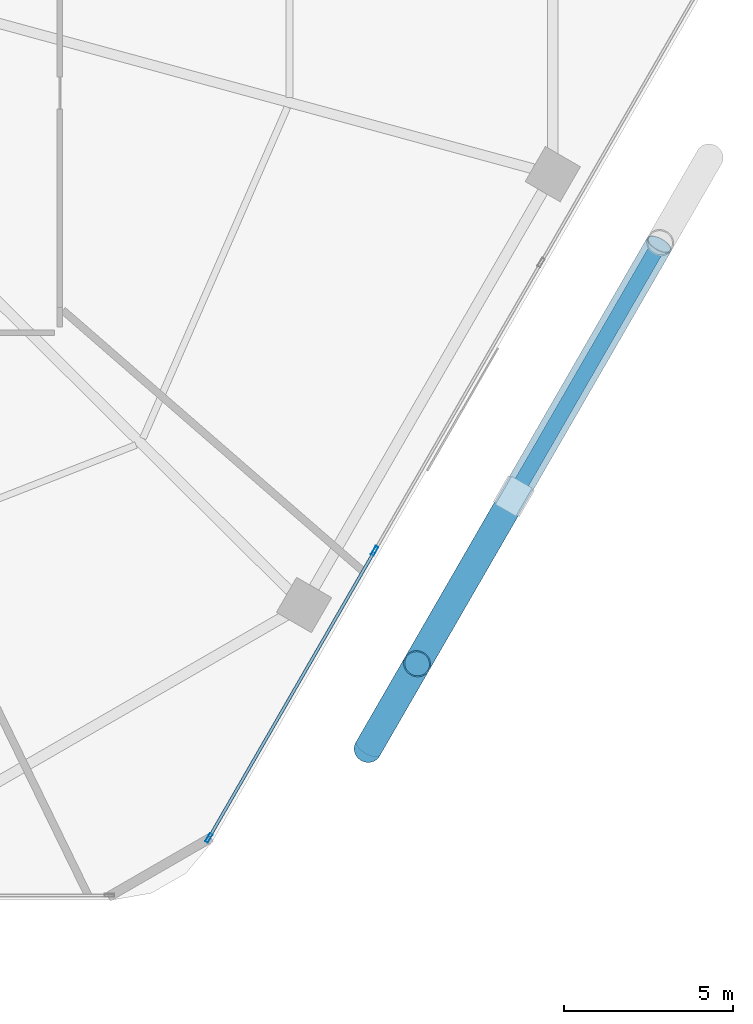
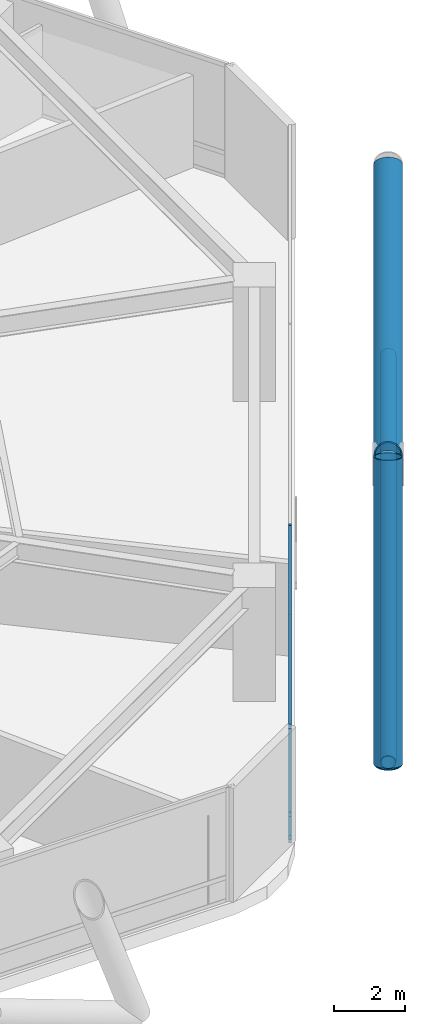
# One storey, part 9 of 31: 9 members, 1 element without a shape of its own.
"""IFC4 building model written with IfcOpenShell, lengths in metres."""

from ifc_helpers import new_model, si_unit, direction, frame, origin, origin_2d, place, context, subcontext, project, spatial, hollow_rectangle, hollow_circle, extrude, material, material_profile, profile_set, type_object, element, aggregate, save


model = new_model("IFC4")

# Units and contexts
model_context = context("Model", 3, precision=1e-05, world=origin(), true_north=direction((0.0, 1.0)))
body_context = subcontext(model_context, "Body", "Model", "MODEL_VIEW")
ifc_project = project(units=[si_unit("LENGTHUNIT", "METRE"), si_unit("AREAUNIT", "SQUARE_METRE"), si_unit("VOLUMEUNIT", "CUBIC_METRE"), si_unit("PLANEANGLEUNIT", "RADIAN"), si_unit("MASSUNIT", "GRAM", prefix="KILO")], contexts=[model_context])

# Site, building, storey
site_placement = place(None, origin())
site = spatial("IfcSite", under=ifc_project, at=site_placement, CompositionType="ELEMENT")
building_placement = place(site_placement, origin())
building = spatial("IfcBuilding", under=site, at=building_placement, Name="Zuhravey Tower", CompositionType="ELEMENT")
storey_placement = place(building_placement, frame((0.0, 0.0, 7.800048828125)))
storey = spatial("IfcBuildingStorey", under=building, at=storey_placement, Name="L02", CompositionType="ELEMENT", Elevation=7.800048828125)

# Curtain wall, members
ifc_material_1 = material(Name="Thermally broken anodised aluminium", Category="aluminium")
curtain_wall_type = type_object("IfcCurtainWallType", Name="School Low-E Unitised Curtain Wall CW1", PredefinedType="NOTDEFINED", material=ifc_material_1)
curtain_wall_placement = place(storey_placement, origin())
curtain_wall = element("IfcCurtainWall", 1, at=curtain_wall_placement, inside=storey, type_object=curtain_wall_type, Name="L02 CW1 CW-L02-F6-1", PredefinedType="NOTDEFINED")
ifc_material_2 = material(Name="Anodised aluminium", Category="aluminium")
ifc_material_profile_1 = material_profile(ifc_material_2, hollow_rectangle(XDim=0.090087890625, YDim=0.284912109375, WallThickness=0.0048828125, at=origin_2d()), Name="ALU-RHS-90x285x5")
ifc_profile_set_1 = profile_set([ifc_material_profile_1], Name="Anodised aluminium")
member_type_1 = type_object("IfcMemberType", Name="Curtain-Wall Mullion 90x180", PredefinedType="MULLION", material=ifc_profile_set_1)
member_1_placement = place(storey_placement, frame((58.612060546875, 13.24853515625, 0.0), z_axis=(0.0, 0.0, 1.0), x_axis=(0.86602552265, -0.499999794119, 0.0)))
member_1 = element("IfcMember", 2, at=member_1_placement, type_object=member_type_1, Name="CW1 mullion 3", PredefinedType="MULLION", context=body_context, shape_type="SweptSolid", body=[
    extrude(hollow_rectangle(XDim=0.090087890625, YDim=0.284912109375, WallThickness=0.0048828125, at=origin_2d()), origin(), (0.0, 0.0, 1.0), 3.919921875),
])
member_2_placement = place(storey_placement, frame((53.701416015625, 4.742919921875, 0.0), z_axis=(0.0, 0.0, 1.0), x_axis=(0.86602552265, -0.499999794119, 0.0)))
member_2 = element("IfcMember", 3, at=member_2_placement, type_object=member_type_1, Name="CW1 mullion 4", PredefinedType="MULLION", context=body_context, shape_type="SweptSolid", body=[
    extrude(hollow_rectangle(XDim=0.090087890625, YDim=0.284912109375, WallThickness=0.0048828125, at=origin_2d()), origin(), (0.0, 0.0, 1.0), 3.919921875),
])
ifc_material_profile_2 = material_profile(ifc_material_2, hollow_rectangle(XDim=0.090087890625, YDim=0.14990234375, WallThickness=0.0048828125, at=origin_2d()), Name="ALU-RHS-90x150x5")
ifc_profile_set_2 = profile_set([ifc_material_profile_2], Name="Anodised aluminium")
member_type_2 = type_object("IfcMemberType", Name="Curtain-Wall Transom 90x150", PredefinedType="USERDEFINED", material=ifc_profile_set_2)
member_3_placement = place(storey_placement, frame((58.589599609375, 13.20947265625, 0.044921875), z_axis=(-0.499989576763, -0.86603142156, 0.0), x_axis=(0.86603142156, -0.499989576763, 0.0)))
member_3 = element("IfcMember", 4, at=member_3_placement, type_object=member_type_2, Name="CW1 transom 3.1", ObjectType="TRANSOM", PredefinedType="USERDEFINED", context=body_context, shape_type="SweptSolid", body=[
    extrude(hollow_rectangle(XDim=0.090087890625, YDim=0.14990234375, WallThickness=0.0048828125, at=origin_2d()), origin(), (0.0, 0.0, 1.0), 9.731201171875),
])
member_4_placement = place(storey_placement, frame((58.589599609375, 13.20947265625, 0.849853515625), z_axis=(-0.499989576763, -0.86603142156, 0.0), x_axis=(0.86603142156, -0.499989576763, 0.0)))
member_4 = element("IfcMember", 5, at=member_4_placement, type_object=member_type_2, Name="CW1 transom 3.2", ObjectType="TRANSOM", PredefinedType="USERDEFINED", context=body_context, shape_type="SweptSolid", body=[
    extrude(hollow_rectangle(XDim=0.090087890625, YDim=0.14990234375, WallThickness=0.0048828125, at=origin_2d()), origin(), (0.0, 0.0, 1.0), 9.731201171875),
])
member_5_placement = place(storey_placement, frame((58.589599609375, 13.20947265625, 3.875), z_axis=(-0.499989576763, -0.86603142156, 0.0), x_axis=(0.86603142156, -0.499989576763, 0.0)))
member_5 = element("IfcMember", 6, at=member_5_placement, type_object=member_type_2, Name="CW1 transom 3.3", ObjectType="TRANSOM", PredefinedType="USERDEFINED", context=body_context, shape_type="SweptSolid", body=[
    extrude(hollow_rectangle(XDim=0.090087890625, YDim=0.14990234375, WallThickness=0.0048828125, at=origin_2d()), origin(), (0.0, 0.0, 1.0), 9.731201171875),
])
aggregate(curtain_wall, [member_1, member_2, member_3, member_4, member_5])

# Members
ifc_material_3 = material(Name="Steel SM355", Category="steel")
ifc_material_profile_3 = material_profile(ifc_material_3, hollow_circle(Radius=0.228515625, WallThickness=0.02197265625, at=origin_2d()), Name="CHS-457.2x22")
ifc_profile_set_3 = profile_set([ifc_material_profile_3], Name="Steel SM355")
member_type_3 = type_object("IfcMemberType", Name="Exoskeleton Ring Tie CHS457x22", PredefinedType="CHORD", material=ifc_profile_set_3)
member_6_placement = place(storey_placement, frame((58.470703125, 7.483154296875, -0.6640625), z_axis=(0.499987058157, 0.866032875632, 0.0), x_axis=(-0.866032875632, 0.499987058157, 0.0)))
element("IfcMember", 7, at=member_6_placement, inside=storey, type_object=member_type_3, Name="L02 Exoskeleton Face 6 Tie EXR1", PredefinedType="CHORD", context=body_context, shape_type="SweptSolid", body=[
    extrude(hollow_circle(Radius=0.228515625, WallThickness=0.02197265625, at=origin_2d()), origin(), (0.0, 0.0, 1.0), 19.99365234375),
])
ifc_material_4 = material(Name="Steel SM460", Category="steel")
ifc_material_profile_4 = material_profile(ifc_material_4, hollow_circle(Radius=0.406494140625, WallThickness=0.035888671875, at=origin_2d()), Name="CHS-812.8x36")
ifc_profile_set_4 = profile_set([ifc_material_profile_4], Name="Steel SM460")
member_type_4 = type_object("IfcMemberType", Name="Exoskeleton Zone 1 Diagrid CHS813x36", PredefinedType="BRACE", material=ifc_profile_set_4)
member_7_placement = place(storey_placement, frame((58.404296875, 7.36865234375, -0.64208984375), z_axis=(0.162411926746, 0.281248600844, 0.945791515385), x_axis=(-0.865981440664, 0.500076138629, 0.0)))
element("IfcMember", 8, at=member_7_placement, inside=storey, type_object=member_type_4, Name="L02 Face 6 Diagrid Brace 1", PredefinedType="BRACE", context=body_context, shape_type="SweptSolid", body=[
    extrude(hollow_circle(Radius=0.406494140625, WallThickness=0.035888671875, at=origin_2d()), origin(), (0.0, 0.0, 1.0), 9.014892578125),
])
member_8_placement = place(storey_placement, frame((58.4228515625, 7.400634765625, -0.64208984375), z_axis=(0.448196185335, 0.776292902922, 0.443271370973), x_axis=(-0.866023824709, 0.500002735028, 0.0)))
element("IfcMember", 9, at=member_8_placement, inside=storey, type_object=member_type_4, Name="L02 Face 6 Diagrid Brace 2", PredefinedType="BRACE", context=body_context, shape_type="SweptSolid", body=[
    extrude(hollow_circle(Radius=0.406494140625, WallThickness=0.035888671875, at=origin_2d()), origin(), (0.0, 0.0, 1.0), 19.234619140625),
])
member_9_placement = place(storey_placement, frame((62.574462890625, 14.591552734375, 3.858642578125), z_axis=(-0.400224890017, -0.693218065781, 0.59939031581), x_axis=(0.866027971625, -0.499995552344, 0.0)))
element("IfcMember", 10, at=member_9_placement, inside=storey, type_object=member_type_4, Name="L02 Face 6 Split Diagrid Brace 3B", PredefinedType="BRACE", context=body_context, shape_type="SweptSolid", body=[
    extrude(hollow_circle(Radius=0.406494140625, WallThickness=0.035888671875, at=origin_2d()), origin(), (0.0, 0.0, 1.0), 6.702880859375),
])

save(model, "model.ifc")
